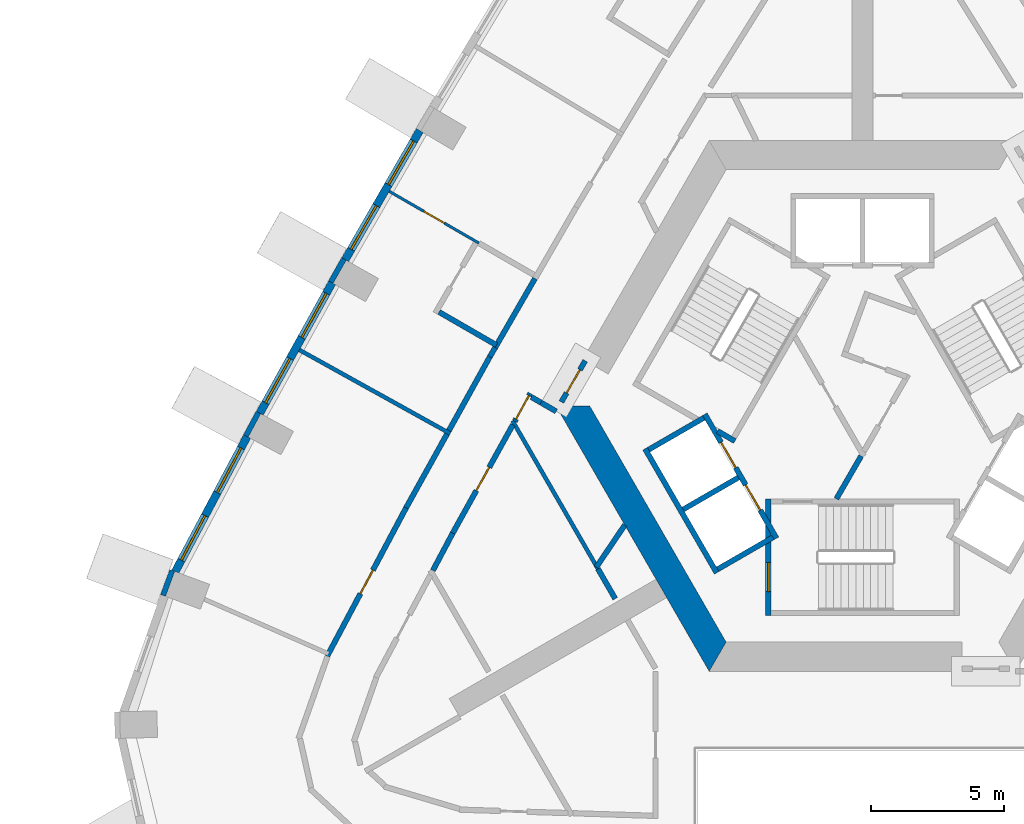
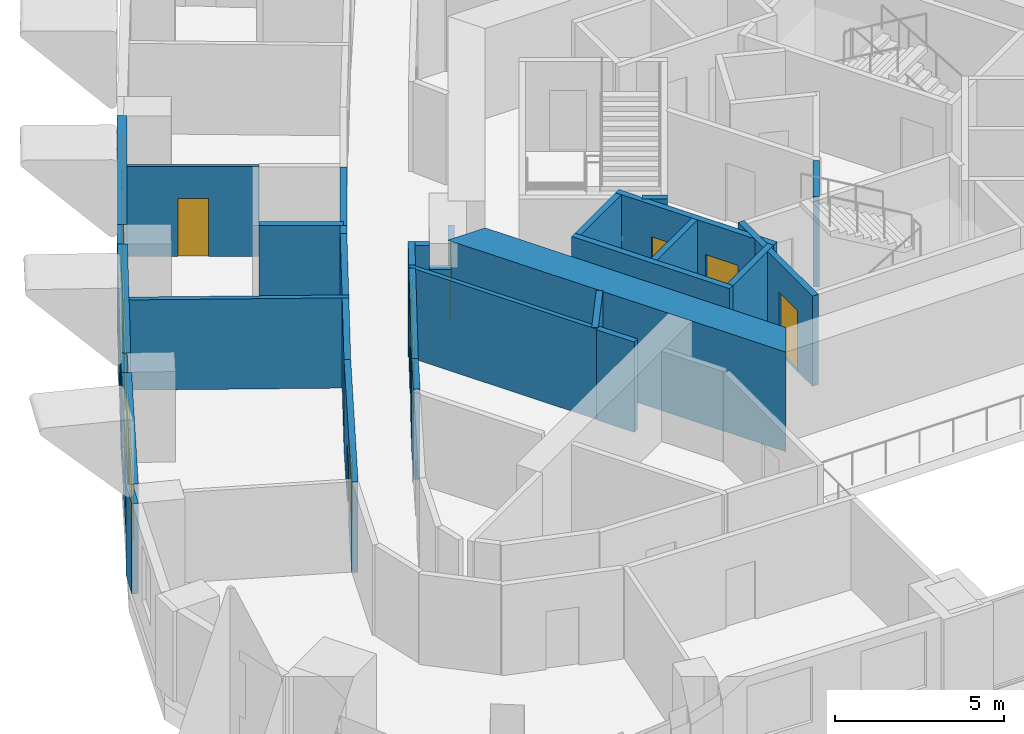
# One storey, part 4 of 12: 32 walls, 8 doors, 6 windows, 14 openings.
"""IFC4 building model written with IfcOpenShell, lengths in metres."""

import ifcopenshell
import ifcopenshell.guid

model = None  # the IFC model being written
_history = None  # IfcOwnerHistory: only IFC2X3 demands one
_inside = {}  # id of a spatial element -> (the spatial element, [elements in it])
_under = {}  # id of a project, library or spatial element -> (it, [spatial elements below it])
_declared = {}  # id of a project -> (the project, [libraries it declares])
_typed = {}  # id of a type object -> (the type object, [elements of that type])
_made_of = {}  # id of a material, layer set ... -> (it, [elements and type objects made of it])


def new_model(schema):
    """Start an empty IFC model of exactly this schema.

    Asked for "IFC4X3", IfcOpenShell would pick the latest addendum, in which some entities
    have other attributes; the version numbers below select the first issue.
    IFC2X3 requires an IfcOwnerHistory on every rooted entity: one is made here for all.
    """
    global model, _history
    if schema == "IFC4X3":
        model = ifcopenshell.file(schema_version=(4, 3, 0, 0))
    else:
        model = ifcopenshell.file(schema=schema)
    _inside.clear()
    _under.clear()
    _declared.clear()
    _typed.clear()
    _made_of.clear()
    _history = None
    if model.schema == "IFC2X3":
        org = make("IfcOrganization", Name="unknown")
        user = make(
            "IfcPersonAndOrganization",
            ThePerson=make("IfcPerson", FamilyName="unknown"),
            TheOrganization=org,
        )
        app = make(
            "IfcApplication",
            ApplicationDeveloper=org,
            Version="unknown",
            ApplicationFullName="unknown",
            ApplicationIdentifier="unknown",
        )
        _history = make(
            "IfcOwnerHistory",
            OwningUser=user,
            OwningApplication=app,
            ChangeAction="ADDED",
            CreationDate=0,
        )
    return model


def make(cls, **values):
    """One entity of the class cls with the attributes given. An attribute that is None is left unset."""
    return model.create_entity(
        cls, **{name: value for name, value in values.items() if value is not None}
    )


def rooted(cls, **values):
    """An entity with a GlobalId (a new one), such as an element, a storey or a relation."""
    return make(cls, GlobalId=ifcopenshell.guid.new(), OwnerHistory=_history, **values)


def si_unit(unit_type, name, prefix=None):
    """IfcSIUnit, for example si_unit("LENGTHUNIT", "METRE", prefix="MILLI")."""
    return make("IfcSIUnit", UnitType=unit_type, Prefix=prefix, Name=name)


def assignment(units):
    """IfcUnitAssignment: the units of a project."""
    return None if units is None else make("IfcUnitAssignment", Units=units)


def point(xyz):
    """IfcCartesianPoint."""
    return None if xyz is None else make("IfcCartesianPoint", Coordinates=xyz)


def direction(xyz):
    """IfcDirection."""
    return None if xyz is None else make("IfcDirection", DirectionRatios=xyz)


def frame(location, z_axis=None, x_axis=None):
    """IfcAxis2Placement3D, a coordinate frame: its origin and axes. An axis left out is left unset."""
    return make(
        "IfcAxis2Placement3D",
        Location=point(location),
        Axis=direction(z_axis),
        RefDirection=direction(x_axis),
    )


def frame_2d(location, x_axis=None):
    """IfcAxis2Placement2D, a coordinate frame in the plane: its origin and x axis."""
    return make(
        "IfcAxis2Placement2D", Location=point(location), RefDirection=direction(x_axis)
    )


def origin():
    """The frame at (0, 0, 0) with its axes left unset."""
    return frame((0.0, 0.0, 0.0))


def place(relative_to, where):
    """IfcLocalPlacement: puts the frame where relative to a parent placement (None: the world)."""
    return make(
        "IfcLocalPlacement", PlacementRelTo=relative_to, RelativePlacement=where
    )


def context(
    kind, dimensions, precision=None, world=None, true_north=None, identifier=None
):
    """IfcGeometricRepresentationContext, for example the 3D "Model" context."""
    return make(
        "IfcGeometricRepresentationContext",
        ContextIdentifier=identifier,
        ContextType=kind,
        CoordinateSpaceDimension=dimensions,
        Precision=precision,
        WorldCoordinateSystem=world,
        TrueNorth=true_north,
    )


def subcontext(parent, identifier, kind, view, scale=None):
    """IfcGeometricRepresentationSubContext, for example "Body" below "Model"."""
    return make(
        "IfcGeometricRepresentationSubContext",
        ContextIdentifier=identifier,
        ContextType=kind,
        ParentContext=parent,
        TargetScale=scale,
        TargetView=view,
    )


def project(units=None, contexts=None):
    """IfcProject with its units and contexts."""
    return rooted(
        "IfcProject",
        Name="project",
        RepresentationContexts=contexts,
        UnitsInContext=assignment(units),
    )


def spatial(cls, under=None, at=None, **own):
    """A site, building, storey or space (cls), placed at a placement, below another one or the project."""
    s = rooted(cls, ObjectPlacement=at, **own)
    if under is not None:
        _under.setdefault(under.id(), (under, []))[1].append(s)
    return s


def polyline(points):
    """IfcPolyline through the points."""
    return make("IfcPolyline", Points=[point(p) for p in points])


def profile(cls, at=None, kind="AREA", **sizes):
    """A parametric profile (cls). Its sizes go by their IFC names, for example OverallWidth=200.0."""
    return make(cls, ProfileType=kind, Position=at, **sizes)


def rectangle(**sizes):
    """IfcRectangleProfileDef."""
    return profile("IfcRectangleProfileDef", **sizes)


def outline(outer, holes=None, kind="AREA"):
    """IfcArbitraryClosedProfileDef: a profile drawn as a closed curve; with holes, ...WithVoids."""
    if holes is None:
        return make("IfcArbitraryClosedProfileDef", ProfileType=kind, OuterCurve=outer)
    return make(
        "IfcArbitraryProfileDefWithVoids",
        ProfileType=kind,
        OuterCurve=outer,
        InnerCurves=holes,
    )


def extrude(swept, where, along, depth):
    """IfcExtrudedAreaSolid: the profile swept, set in the frame where, extruded along a direction by depth."""
    return make(
        "IfcExtrudedAreaSolid",
        SweptArea=swept,
        Position=where,
        ExtrudedDirection=direction(along),
        Depth=depth,
    )


def shape(context_of_items, identifier, shape_type, items):
    """IfcShapeRepresentation: the items that make up one representation, for example the "Body"."""
    return make(
        "IfcShapeRepresentation",
        ContextOfItems=context_of_items,
        RepresentationIdentifier=identifier,
        RepresentationType=shape_type,
        Items=items,
    )


def material(Name=None, Category=None):
    """IfcMaterial."""
    return make("IfcMaterial", Name=Name, Category=Category)


def layer(
    of_material, thickness, ventilated=None, Name=None, Category=None, Priority=None
):
    """IfcMaterialLayer: one layer of a wall or slab, of a material (None: an air gap)."""
    return make(
        "IfcMaterialLayer",
        Material=of_material,
        LayerThickness=thickness,
        IsVentilated=ventilated,
        Name=Name,
        Category=Category,
        Priority=Priority,
    )


def layer_set(layers, Name=None):
    """IfcMaterialLayerSet."""
    return make("IfcMaterialLayerSet", MaterialLayers=layers, LayerSetName=Name)


def made_of(thing, what):
    """Note that an element or type object is made of a material, layer set ...; save() writes the relation."""
    if what is not None:
        _made_of.setdefault(what.id(), (what, []))[1].append(thing)
    return thing


def type_object(cls, material=None, **own):
    """A type object (cls), such as IfcWallType, which elements share."""
    return made_of(rooted(cls, **own), material)


def element(
    cls,
    number,
    at=None,
    inside=None,
    cuts=None,
    type_object=None,
    material=None,
    context=None,
    identifier="Body",
    shape_type=None,
    held_by="IfcProductDefinitionShape",
    body=None,
    shapes=None,
    **own,
):
    """One element of the class cls, such as IfcWall. Its Tag is "e" and its number.

    at: its placement. inside: the storey or other place that contains it. cuts: it is an
    opening in that element (IfcRelVoidsElement). A single representation is given by context,
    identifier, shape_type and body (its items); several are given by shapes. held_by: the class
    of the entity that holds the representations. save() writes the other relations.
    """
    e = rooted(cls, Tag="e%d" % number, ObjectPlacement=at, **own)
    if body is not None:
        shapes = [shape(context, identifier, shape_type, body)]
    if shapes is not None:
        e.Representation = make(held_by, Representations=shapes)
    if inside is not None:
        _inside.setdefault(inside.id(), (inside, []))[1].append(e)
    if cuts is not None:
        rooted(
            "IfcRelVoidsElement", RelatingBuildingElement=cuts, RelatedOpeningElement=e
        )
    if type_object is not None:
        _typed.setdefault(type_object.id(), (type_object, []))[1].append(e)
    return made_of(e, material)


def fill(opening, filler):
    """IfcRelFillsElement: the door or window that sits in an opening."""
    return rooted(
        "IfcRelFillsElement",
        RelatingOpeningElement=opening,
        RelatedBuildingElement=filler,
    )


def aggregate(whole, parts):
    """IfcRelAggregates: a whole, such as a stair, and the parts it consists of."""
    return rooted("IfcRelAggregates", RelatingObject=whole, RelatedObjects=parts)


def save(model, path):
    """Write the relations noted so far, then the file.

    IfcRelAggregates (storeys below a building ...), IfcRelContainedInSpatialStructure (elements
    in a storey), IfcRelDefinesByType, IfcRelAssociatesMaterial and IfcRelDeclares: one each for
    every whole, place, type object, material and project.
    """
    for whole, parts in _under.values():
        aggregate(whole, parts)
    for where, things in _inside.values():
        rooted(
            "IfcRelContainedInSpatialStructure",
            RelatedElements=things,
            RelatingStructure=where,
        )
    for kind, things in _typed.values():
        rooted("IfcRelDefinesByType", RelatedObjects=things, RelatingType=kind)
    for what, things in _made_of.values():
        rooted("IfcRelAssociatesMaterial", RelatedObjects=things, RelatingMaterial=what)
    for by, libraries in _declared.values():
        rooted("IfcRelDeclares", RelatingContext=by, RelatedDefinitions=libraries)
    model.write(path)


model = new_model("IFC4")

# Units and contexts
model_context = context("Model", 3, precision=1e-05, world=origin(), true_north=direction((0.0, 1.0)))
body_context = subcontext(model_context, "Body", "Model", "MODEL_VIEW")
ifc_project = project(units=[si_unit("LENGTHUNIT", "METRE"), si_unit("AREAUNIT", "SQUARE_METRE"), si_unit("VOLUMEUNIT", "CUBIC_METRE"), si_unit("PLANEANGLEUNIT", "RADIAN"), si_unit("MASSUNIT", "GRAM", prefix="KILO")], contexts=[model_context])

# Site, building, storey
site_placement = place(None, origin())
site = spatial("IfcSite", under=ifc_project, at=site_placement, CompositionType="ELEMENT")
building_placement = place(site_placement, origin())
building = spatial("IfcBuilding", under=site, at=building_placement, Name="Entoto Arch Interchange Tower", CompositionType="ELEMENT")
storey_placement = place(building_placement, frame((0.0, 0.0, 273.800048828125)))
storey = spatial("IfcBuildingStorey", under=building, at=storey_placement, Name="L63", CompositionType="ELEMENT", Elevation=273.800048828125)

# Wall, opening, door
ifc_material_1 = material(Name="Reinforced concrete C40/50", Category="concrete")
ifc_layer_1 = layer(ifc_material_1, 0.199951171875)
ifc_layer_set_1 = layer_set([ifc_layer_1], Name="Reinforced concrete C40/50")
wall_type_1 = type_object("IfcWallType", Name="CORE GAP INFILL WALL", PredefinedType="PARTITIONING", material=ifc_layer_set_1)
wall_1_placement = place(storey_placement, frame((-10.448974609375, 4.202880859375, 0.0), z_axis=(0.0, 0.0, 1.0), x_axis=(-0.499914839587, -0.866074565589, 0.0)))
wall_1 = element("IfcWall", 1, at=wall_1_placement, inside=storey, type_object=wall_type_1, Name="wall:L63:gap3", PredefinedType="PARTITIONING", context=body_context, shape_type="SweptSolid", body=[
    extrude(rectangle(XDim=1.794189453125, YDim=0.199951171875, at=frame_2d((0.89697265625, 0.0))), origin(), (0.0, 0.0, 1.0), 2.39990234375),
])
opening_1_placement = place(wall_1_placement, frame((0.39697265625, 0.0, 0.0)))
opening_1 = element("IfcOpeningElement", 2, at=opening_1_placement, cuts=wall_1, Name="Opening L63-D93", PredefinedType="OPENING", context=body_context, shape_type="SweptSolid", body=[
    extrude(rectangle(XDim=1.0, YDim=2.10009765625, at=frame_2d((0.5, 1.050048828125))), frame((0.0, 0.10986328125, 0.0), z_axis=(0.0, -1.0, 0.0), x_axis=(1.0, 0.0, 0.0)), (0.0, 0.0, 1.0), 0.219970703125),
])
ifc_material_2 = material(Name="Fire-rated Steel S235 door and frame", Category="steel")
door_type_1 = type_object("IfcDoorType", Name="DOOR FD-10 1000x2100", OperationType="SINGLE_SWING_LEFT", PredefinedType="DOOR", material=ifc_material_2)
door_1_placement = place(opening_1_placement, origin())
door_1 = element("IfcDoor", 3, at=door_1_placement, inside=storey, type_object=door_type_1, Name="door:L63:gap3", OperationType="SINGLE_SWING_LEFT", OverallHeight=2.10009765625, OverallWidth=1.0, PredefinedType="DOOR", context=body_context, shape_type="SweptSolid", body=[
    extrude(rectangle(XDim=1.0, YDim=2.10009765625, at=frame_2d((0.5, 1.050048828125))), frame((0.0, 0.02490234375, 0.0), z_axis=(0.0, -1.0, 0.0), x_axis=(1.0, 0.0, 0.0)), (0.0, 0.0, 1.0), 0.050048828125),
])
fill(opening_1, door_1)

# Wall
ifc_material_3 = material(Name="Concrete C40/50", Category="concrete")
ifc_layer_2 = layer(ifc_material_3, 1.10009765625)
ifc_layer_set_2 = layer_set([ifc_layer_2], Name="Concrete C40/50")
wall_type_2 = type_object("IfcWallType", Name="Core wall 1100 C40/50", PredefinedType="SHEAR", material=ifc_layer_set_2)
wall_2_placement = place(storey_placement, frame((0.0, 0.0, -0.340087890625)))
element("IfcWall", 4, at=wall_2_placement, inside=storey, type_object=wall_type_2, Name="Core wall SW L63", PredefinedType="SHEAR", context=body_context, shape_type="SweptSolid", body=[
    extrude(outline(polyline([(-11.547119140625, 2.5), (-5.77392578125, -7.5), (-5.137939453125, -6.39990234375), (-10.277099609375, 2.5), (-11.547119140625, 2.5)])), origin(), (0.0, 0.0, 1.0), 3.60009765625),
])

# Wall, openings, doors
ifc_layer_3 = layer(ifc_material_3, 0.199951171875)
ifc_layer_set_3 = layer_set([ifc_layer_3], Name="Concrete C40/50")
wall_type_3 = type_object("IfcWallType", Name="LIFT SHAFT WALL 200", PredefinedType="STANDARD", material=ifc_layer_set_3)
wall_3_placement = place(storey_placement, frame((-5.93994140625, 2.18798828125, 0.0), z_axis=(0.0, 0.0, 1.0), x_axis=(0.500034260056, -0.866005622828, 0.0)))
wall_3 = element("IfcWall", 5, at=wall_3_placement, inside=storey, type_object=wall_type_3, Name="Shaft wall SW1 front", PredefinedType="STANDARD", context=body_context, shape_type="SweptSolid", body=[
    extrude(rectangle(XDim=5.3994140625, YDim=0.199951171875, at=frame_2d((2.69970703125, 0.0))), origin(), (0.0, 0.0, 1.0), 3.260009765625),
])
opening_2_placement = place(wall_3_placement, frame((3.074951171875, 0.0, 0.0)))
opening_2 = element("IfcOpeningElement", 6, at=opening_2_placement, cuts=wall_3, Name="Opening LD-HR4-L63", PredefinedType="OPENING", context=body_context, shape_type="SweptSolid", body=[
    extrude(rectangle(XDim=1.10009765625, YDim=2.10009765625, at=frame_2d((0.550048828125, 1.050048828125))), frame((0.0, 0.10986328125, 0.0), z_axis=(0.0, -1.0, 0.0), x_axis=(1.0, 0.0, 0.0)), (0.0, 0.0, 1.0), 0.219970703125),
])
opening_3_placement = place(wall_3_placement, frame((1.22509765625, 0.0, 0.0)))
opening_3 = element("IfcOpeningElement", 7, at=opening_3_placement, cuts=wall_3, Name="Opening LD-FF2-L63", PredefinedType="OPENING", context=body_context, shape_type="SweptSolid", body=[
    extrude(rectangle(XDim=1.10009765625, YDim=2.10009765625, at=frame_2d((0.550048828125, 1.050048828125))), frame((0.0, 0.10986328125, 0.0), z_axis=(0.0, -1.0, 0.0), x_axis=(1.0, 0.0, 0.0)), (0.0, 0.0, 1.0), 0.219970703125),
])
ifc_material_4 = material(Name="Stainless steel 1.4301 panels", Category="steel")
door_type_2 = type_object("IfcDoorType", Name="LIFT LANDING DOOR LD1 1100x2100", OperationType="SLIDING_TO_LEFT", PredefinedType="DOOR", material=ifc_material_4)
door_2_placement = place(opening_2_placement, origin())
door_2 = element("IfcDoor", 8, at=door_2_placement, inside=storey, type_object=door_type_2, Name="Lift landing door HR4 L63", OperationType="SLIDING_TO_LEFT", OverallHeight=2.10009765625, OverallWidth=1.10009765625, PredefinedType="DOOR", context=body_context, shape_type="SweptSolid", body=[
    extrude(rectangle(XDim=1.10009765625, YDim=2.10009765625, at=frame_2d((0.550048828125, 1.050048828125))), frame((0.0, 0.02490234375, 0.0), z_axis=(0.0, -1.0, 0.0), x_axis=(1.0, 0.0, 0.0)), (0.0, 0.0, 1.0), 0.050048828125),
])
fill(opening_2, door_2)
door_3_placement = place(opening_3_placement, origin())
door_3 = element("IfcDoor", 9, at=door_3_placement, inside=storey, type_object=door_type_2, Name="Lift landing door FF2 L63", OperationType="SLIDING_TO_LEFT", OverallHeight=2.10009765625, OverallWidth=1.10009765625, PredefinedType="DOOR", context=body_context, shape_type="SweptSolid", body=[
    extrude(rectangle(XDim=1.10009765625, YDim=2.10009765625, at=frame_2d((0.550048828125, 1.050048828125))), frame((0.0, 0.02490234375, 0.0), z_axis=(0.0, -1.0, 0.0), x_axis=(1.0, 0.0, 0.0)), (0.0, 0.0, 1.0), 0.050048828125),
])
fill(opening_3, door_3)

# Walls
wall_4_placement = place(storey_placement, frame((-8.19189453125, 0.887939453125, 0.0), z_axis=(0.0, 0.0, 1.0), x_axis=(0.500034260056, -0.866005622828, 0.0)))
element("IfcWall", 10, at=wall_4_placement, inside=storey, type_object=wall_type_3, Name="Shaft wall SW1 back", PredefinedType="STANDARD", context=body_context, shape_type="SweptSolid", body=[
    extrude(rectangle(XDim=5.3994140625, YDim=0.199951171875, at=frame_2d((2.69970703125, 0.0))), origin(), (0.0, 0.0, 1.0), 3.260009765625),
])
for number, where, z_axis, x_axis, name in (
    (11, (-5.97705078125, 2.052001953125, 0.0), (0.0, 0.0, 1.0), (-0.865973769406, -0.500089422704, 0.0), "Shaft wall SW1 cross 1"),
    (12, (-4.677001953125, -0.199951171875, 0.0), (0.0, 0.0, 1.0), (-0.865973769406, -0.500089422704, 0.0), "Shaft wall SW1 cross 2"),
):
    element("IfcWall", number, at=place(storey_placement, frame(where, z_axis=z_axis, x_axis=x_axis)), inside=storey, type_object=wall_type_3, Name=name, PredefinedType="STANDARD", context=body_context, shape_type="SweptSolid", body=[
        extrude(rectangle(XDim=2.3994140625, YDim=0.199951171875, at=frame_2d((1.19970703125, 0.0))), origin(), (0.0, 0.0, 1.0), 3.260009765625),
    ])
wall_5_placement = place(storey_placement, frame((-3.376953125, -2.451904296875, 0.0), z_axis=(0.0, 0.0, 1.0), x_axis=(-0.865955154139, -0.50012165622, 0.0)))
element("IfcWall", 13, at=wall_5_placement, inside=storey, type_object=wall_type_3, Name="Shaft wall SW1 cross 3", PredefinedType="STANDARD", context=body_context, shape_type="SweptSolid", body=[
    extrude(rectangle(XDim=2.39990234375, YDim=0.199951171875, at=frame_2d((1.199951171875, 0.0))), origin(), (0.0, 0.0, 1.0), 3.260009765625),
])

# Wall, opening, door
ifc_material_5 = material(Name="Gypsum board partition on steel studs", Category="steel")
ifc_layer_4 = layer(ifc_material_5, 0.10009765625)
ifc_layer_set_4 = layer_set([ifc_layer_4], Name="Gypsum board partition on steel studs")
wall_type_4 = type_object("IfcWallType", Name="PARTITION 100", PredefinedType="PARTITIONING", material=ifc_layer_set_4)
wall_6_placement = place(storey_placement, frame((-14.4541015625, 8.636962890625, 0.0), z_axis=(0.0, 0.0, 1.0), x_axis=(-0.865995823051, 0.500051231833, 0.0)))
wall_6 = element("IfcWall", 14, at=wall_6_placement, inside=storey, type_object=wall_type_4, Name="wall:L63:p117", PredefinedType="PARTITIONING", context=body_context, shape_type="SweptSolid", body=[
    extrude(rectangle(XDim=3.8994140625, YDim=0.10009765625, at=frame_2d((1.94970703125, 0.0))), origin(), (0.0, 0.0, 1.0), 3.260009765625),
])
opening_4_placement = place(wall_6_placement, frame((1.5, 0.0, 0.0)))
opening_4 = element("IfcOpeningElement", 15, at=opening_4_placement, cuts=wall_6, Name="Opening L63-D14", PredefinedType="OPENING", context=body_context, shape_type="SweptSolid", body=[
    extrude(rectangle(XDim=0.89990234375, YDim=2.10009765625, at=frame_2d((0.449951171875, 1.050048828125))), frame((0.0, 0.06005859375, 0.0), z_axis=(0.0, -1.0, 0.0), x_axis=(1.0, 0.0, 0.0)), (0.0, 0.0, 1.0), 0.1201171875),
])
ifc_material_6 = material(Name="Timber door leaf in Steel S235 frame", Category="steel")
door_type_3 = type_object("IfcDoorType", Name="DOOR DS-09 900x2100", OperationType="SINGLE_SWING_LEFT", PredefinedType="DOOR", material=ifc_material_6)
door_4_placement = place(opening_4_placement, origin())
door_4 = element("IfcDoor", 16, at=door_4_placement, inside=storey, type_object=door_type_3, Name="door:L63:14", OperationType="SINGLE_SWING_LEFT", OverallHeight=2.10009765625, OverallWidth=0.89990234375, PredefinedType="DOOR", context=body_context, shape_type="SweptSolid", body=[
    extrude(rectangle(XDim=0.89990234375, YDim=2.10009765625, at=frame_2d((0.449951171875, 1.050048828125))), frame((0.0, 0.02490234375, 0.0), z_axis=(0.0, -1.0, 0.0), x_axis=(1.0, 0.0, 0.0)), (0.0, 0.0, 1.0), 0.050048828125),
])
fill(opening_4, door_4)

# Walls
ifc_layer_5 = layer(ifc_material_5, 0.14990234375)
ifc_layer_set_5 = layer_set([ifc_layer_5], Name="Gypsum board partition on steel studs")
wall_type_5 = type_object("IfcWallType", Name="PARTITION 150", PredefinedType="PARTITIONING", material=ifc_layer_set_5)
wall_7_placement = place(storey_placement, frame((-13.18798828125, 1.94189453125, 0.0), z_axis=(0.0, 0.0, 1.0), x_axis=(0.500061177503, -0.865990080056, 0.0)))
element("IfcWall", 17, at=wall_7_placement, inside=storey, type_object=wall_type_5, Name="wall:L63:p073", PredefinedType="PARTITIONING", context=body_context, shape_type="SweptSolid", body=[
    extrude(rectangle(XDim=6.447021484375, YDim=0.14990234375, at=frame_2d((3.2236328125, 0.0))), origin(), (0.0, 0.0, 1.0), 3.260009765625),
])
wall_8_placement = place(storey_placement, frame((-15.531982421875, 1.45703125, 0.0), z_axis=(0.0, 0.0, 1.0), x_axis=(-0.874467143452, 0.485084750351, 0.0)))
element("IfcWall", 18, at=wall_8_placement, inside=storey, type_object=wall_type_5, Name="wall:L63:p121", PredefinedType="PARTITIONING", context=body_context, shape_type="SweptSolid", body=[
    extrude(rectangle(XDim=6.5, YDim=0.14990234375, at=frame_2d((3.25, 0.0))), origin(), (0.0, 0.0, 1.0), 3.260009765625),
])
ifc_layer_6 = layer(ifc_material_5, 0.199951171875)
ifc_layer_set_6 = layer_set([ifc_layer_6], Name="Gypsum board partition on steel studs")
wall_type_6 = type_object("IfcWallType", Name="PARTITION 200", PredefinedType="PARTITIONING", material=ifc_layer_set_6)
wall_9_placement = place(storey_placement, frame((-11.5390625, 2.294921875, 0.0), z_axis=(0.0, 0.0, 1.0), x_axis=(-0.86577241902, 0.500437926684, 0.0)))
element("IfcWall", 19, at=wall_9_placement, inside=storey, type_object=wall_type_6, Name="wall:L63:p004", PredefinedType="PARTITIONING", context=body_context, shape_type="SweptSolid", body=[
    extrude(rectangle(XDim=0.65966796875, YDim=0.199951171875, at=frame_2d((0.329833984375, 0.0))), origin(), (0.0, 0.0, 1.0), 2.39990234375),
])

# Wall, opening, door
wall_10_placement = place(storey_placement, frame((-12.51708984375, 2.97509765625, 0.0), z_axis=(0.0, 0.0, 1.0), x_axis=(-0.485195833999, -0.87440551386, 0.0)))
wall_10 = element("IfcWall", 20, at=wall_10_placement, inside=storey, type_object=wall_type_6, Name="wall:L63:p005", PredefinedType="PARTITIONING", context=body_context, shape_type="SweptSolid", body=[
    extrude(rectangle(XDim=1.20556640625, YDim=0.199951171875, at=frame_2d((0.602783203125, 0.0))), origin(), (0.0, 0.0, 1.0), 3.260009765625),
])
opening_5_placement = place(wall_10_placement, frame((0.10302734375, 0.0, 0.0)))
opening_5 = element("IfcOpeningElement", 21, at=opening_5_placement, cuts=wall_10, Name="Opening L63-D30", PredefinedType="OPENING", context=body_context, shape_type="SweptSolid", body=[
    extrude(rectangle(XDim=1.0, YDim=2.10009765625, at=frame_2d((0.5, 1.050048828125))), frame((0.0, 0.10986328125, 0.0), z_axis=(0.0, -1.0, 0.0), x_axis=(1.0, 0.0, 0.0)), (0.0, 0.0, 1.0), 0.219970703125),
])
door_type_4 = type_object("IfcDoorType", Name="DOOR DS-10 1000x2100", OperationType="SINGLE_SWING_LEFT", PredefinedType="DOOR", material=ifc_material_6)
door_5_placement = place(opening_5_placement, origin())
door_5 = element("IfcDoor", 22, at=door_5_placement, inside=storey, type_object=door_type_4, Name="door:L63:30", OperationType="SINGLE_SWING_RIGHT", OverallHeight=2.10009765625, OverallWidth=1.0, PredefinedType="DOOR", context=body_context, shape_type="SweptSolid", body=[
    extrude(rectangle(XDim=1.0, YDim=2.10009765625, at=frame_2d((0.5, 1.050048828125))), frame((0.0, 0.02490234375, 0.0), z_axis=(0.0, -1.0, 0.0), x_axis=(1.0, 0.0, 0.0)), (0.0, 0.0, 1.0), 0.050048828125),
])
fill(opening_5, door_5)

wall_11_placement = place(storey_placement, frame((-13.174072265625, 1.7900390625, 0.0), z_axis=(0.0, 0.0, 1.0), x_axis=(-0.485079003918, -0.874470331091, 0.0)))
wall_11 = element("IfcWall", 23, at=wall_11_placement, inside=storey, type_object=wall_type_6, Name="wall:L63:p028", PredefinedType="PARTITIONING", context=body_context, shape_type="SweptSolid", body=[
    extrude(rectangle(XDim=4.669189453125, YDim=0.199951171875, at=frame_2d((2.33447265625, 0.0))), origin(), (0.0, 0.0, 1.0), 3.260009765625),
])
opening_6_placement = place(wall_11_placement, frame((1.833984375, 0.0, 0.0)))
opening_6 = element("IfcOpeningElement", 24, at=opening_6_placement, cuts=wall_11, Name="Opening L63-D26", PredefinedType="OPENING", context=body_context, shape_type="SweptSolid", body=[
    extrude(rectangle(XDim=1.0, YDim=2.10009765625, at=frame_2d((0.5, 1.050048828125))), frame((0.0, 0.10986328125, 0.0), z_axis=(0.0, -1.0, 0.0), x_axis=(1.0, 0.0, 0.0)), (0.0, 0.0, 1.0), 0.219970703125),
])
door_6_placement = place(opening_6_placement, origin())
door_6 = element("IfcDoor", 25, at=door_6_placement, inside=storey, type_object=door_type_4, Name="door:L63:26", OperationType="SINGLE_SWING_LEFT", OverallHeight=2.10009765625, OverallWidth=1.0, PredefinedType="DOOR", context=body_context, shape_type="SweptSolid", body=[
    extrude(rectangle(XDim=1.0, YDim=2.10009765625, at=frame_2d((0.5, 1.050048828125))), frame((0.0, 0.02490234375, 0.0), z_axis=(0.0, -1.0, 0.0), x_axis=(1.0, 0.0, 0.0)), (0.0, 0.0, 1.0), 0.050048828125),
])
fill(opening_6, door_6)

# Walls
wall_12_placement = place(storey_placement, frame((-15.43896484375, -2.29296875, 0.0), z_axis=(0.0, 0.0, 1.0), x_axis=(-0.469248780065, -0.883066012486, 0.0)))
element("IfcWall", 26, at=wall_12_placement, inside=storey, type_object=wall_type_6, Name="wall:L63:p029", PredefinedType="PARTITIONING", context=body_context, shape_type="SweptSolid", body=[
    extrude(rectangle(XDim=1.590087890625, YDim=0.199951171875, at=frame_2d((0.794921875, 0.0))), origin(), (0.0, 0.0, 1.0), 3.260009765625),
])
wall_13_placement = place(storey_placement, frame((-15.5830078125, 1.571044921875, 0.0), z_axis=(0.0, 0.0, 1.0), x_axis=(0.484944791944, 0.874544766588, 0.0)))
element("IfcWall", 27, at=wall_13_placement, inside=storey, type_object=wall_type_6, Name="wall:L63:p062", PredefinedType="PARTITIONING", context=body_context, shape_type="SweptSolid", body=[
    extrude(rectangle(XDim=3.177734375, YDim=0.199951171875, at=frame_2d((1.5888671875, 0.0))), origin(), (0.0, 0.0, 1.0), 3.260009765625),
])
wall_14_placement = place(storey_placement, frame((-14.0419921875, 4.35009765625, 0.0), z_axis=(0.0, 0.0, 1.0), x_axis=(0.501816902032, 0.864973870608, 0.0)))
element("IfcWall", 28, at=wall_14_placement, inside=storey, type_object=wall_type_6, Name="wall:L63:p063", PredefinedType="PARTITIONING", context=body_context, shape_type="SweptSolid", body=[
    extrude(rectangle(XDim=0.40673828125, YDim=0.199951171875, at=frame_2d((0.203369140625, 0.0))), origin(), (0.0, 0.0, 1.0), 3.260009765625),
])
wall_15_placement = place(storey_placement, frame((-13.837890625, 4.701904296875, 0.0), z_axis=(0.0, 0.0, 1.0), x_axis=(0.499543983968, 0.866288524731, 0.0)))
element("IfcWall", 29, at=wall_15_placement, inside=storey, type_object=wall_type_6, Name="wall:L63:p064", PredefinedType="PARTITIONING", context=body_context, shape_type="SweptSolid", body=[
    extrude(rectangle(XDim=3.000244140625, YDim=0.199951171875, at=frame_2d((1.5, 0.0))), origin(), (0.0, 0.0, 1.0), 3.260009765625),
])

# Wall, opening, door
wall_16_placement = place(storey_placement, frame((-20.16796875, -6.926025390625, 0.0), z_axis=(0.0, 0.0, 1.0), x_axis=(0.469552838911, 0.882904372778, 0.0)))
wall_16 = element("IfcWall", 30, at=wall_16_placement, inside=storey, type_object=wall_type_6, Name="wall:L63:p065", PredefinedType="PARTITIONING", context=body_context, shape_type="SweptSolid", body=[
    extrude(rectangle(XDim=6.329345703125, YDim=0.199951171875, at=frame_2d((3.16455078125, 0.0))), origin(), (0.0, 0.0, 1.0), 3.260009765625),
])
opening_7_placement = place(wall_16_placement, frame((2.6650390625, 0.0, 0.0)))
opening_7 = element("IfcOpeningElement", 31, at=opening_7_placement, cuts=wall_16, Name="Opening L63-D19", PredefinedType="OPENING", context=body_context, shape_type="SweptSolid", body=[
    extrude(rectangle(XDim=1.0, YDim=2.10009765625, at=frame_2d((0.5, 1.050048828125))), frame((0.0, 0.10986328125, 0.0), z_axis=(0.0, -1.0, 0.0), x_axis=(1.0, 0.0, 0.0)), (0.0, 0.0, 1.0), 0.219970703125),
])
door_7_placement = place(opening_7_placement, origin())
door_7 = element("IfcDoor", 32, at=door_7_placement, inside=storey, type_object=door_type_4, Name="door:L63:19", OperationType="SINGLE_SWING_LEFT", OverallHeight=2.10009765625, OverallWidth=1.0, PredefinedType="DOOR", context=body_context, shape_type="SweptSolid", body=[
    extrude(rectangle(XDim=1.0, YDim=2.10009765625, at=frame_2d((0.5, 1.050048828125))), frame((0.0, 0.02490234375, 0.0), z_axis=(0.0, -1.0, 0.0), x_axis=(1.0, 0.0, 0.0)), (0.0, 0.0, 1.0), 0.050048828125),
])
fill(opening_7, door_7)

# Walls
wall_17_placement = place(storey_placement, frame((-17.196044921875, -1.337890625, 0.0), z_axis=(0.0, 0.0, 1.0), x_axis=(0.485107756493, 0.87445438108, 0.0)))
element("IfcWall", 33, at=wall_17_placement, inside=storey, type_object=wall_type_6, Name="wall:L63:p066", PredefinedType="PARTITIONING", context=body_context, shape_type="SweptSolid", body=[
    extrude(rectangle(XDim=3.1767578125, YDim=0.199951171875, at=frame_2d((1.58837890625, 0.0))), origin(), (0.0, 0.0, 1.0), 3.260009765625),
])
wall_18_placement = place(storey_placement, frame((-10.028076171875, -3.574951171875, 0.0), z_axis=(0.0, 0.0, 1.0), x_axis=(0.559779346026, 0.828641710127, 0.0)))
element("IfcWall", 34, at=wall_18_placement, inside=storey, type_object=wall_type_6, Name="wall:L63:p072", PredefinedType="PARTITIONING", context=body_context, shape_type="SweptSolid", body=[
    extrude(rectangle(XDim=1.9150390625, YDim=0.199951171875, at=frame_2d((0.95751953125, 0.0))), origin(), (0.0, 0.0, 1.0), 3.260009765625),
])
wall_19_placement = place(storey_placement, frame((-0.98193359375, -1.0, 0.0), z_axis=(0.0, 0.0, 1.0), x_axis=(0.50024047865, 0.865886518847, 0.0)))
element("IfcWall", 35, at=wall_19_placement, inside=storey, type_object=wall_type_6, Name="wall:L63:p077", PredefinedType="PARTITIONING", context=body_context, shape_type="SweptSolid", body=[
    extrude(rectangle(XDim=1.86279296875, YDim=0.199951171875, at=frame_2d((0.931396484375, 0.0))), origin(), (0.0, 0.0, 1.0), 3.260009765625),
])
wall_20_placement = place(storey_placement, frame((-9.31591796875, -4.763916015625, 0.0), z_axis=(0.0, 0.0, 1.0), x_axis=(-0.49996696679, 0.866044474677, 0.0)))
element("IfcWall", 36, at=wall_20_placement, inside=storey, type_object=wall_type_6, Name="wall:L63:p081", PredefinedType="PARTITIONING", context=body_context, shape_type="SweptSolid", body=[
    extrude(rectangle(XDim=1.29638671875, YDim=0.199951171875, at=frame_2d((0.648193359375, 0.0))), origin(), (0.0, 0.0, 1.0), 3.260009765625),
])
wall_21_placement = place(storey_placement, frame((-15.952880859375, 6.0390625, 0.0), z_axis=(0.0, 0.0, 1.0), x_axis=(0.865998541277, -0.500046524342, 0.0)))
element("IfcWall", 37, at=wall_21_placement, inside=storey, type_object=wall_type_6, Name="wall:L63:p120", PredefinedType="PARTITIONING", context=body_context, shape_type="SweptSolid", body=[
    extrude(rectangle(XDim=2.499755859375, YDim=0.199951171875, at=frame_2d((1.25, 0.0))), origin(), (0.0, 0.0, 1.0), 3.260009765625),
])
wall_22_placement = place(storey_placement, frame((-12.110107421875, 2.625, 0.0), z_axis=(0.0, 0.0, 1.0), x_axis=(-0.86611877815, 0.499838235968, 0.0)))
element("IfcWall", 38, at=wall_22_placement, inside=storey, type_object=wall_type_6, Name="wall:L63:p004", PredefinedType="PARTITIONING", context=body_context, shape_type="SweptSolid", body=[
    extrude(rectangle(XDim=0.426025390625, YDim=0.199951171875, at=frame_2d((0.212890625, 0.0))), origin(), (0.0, 0.0, 1.0), 3.260009765625),
])

# Wall, opening, door
ifc_layer_7 = layer(ifc_material_3, 0.199951171875)
ifc_layer_set_7 = layer_set([ifc_layer_7], Name="Concrete C40/50")
wall_type_7 = type_object("IfcWallType", Name="STAIR ENCLOSURE WALL 200", PredefinedType="STANDARD", material=ifc_layer_set_7)
wall_23_placement = place(storey_placement, frame((-3.550048828125, -1.0, 0.0), z_axis=(0.0, 0.0, 1.0), x_axis=(0.0, -1.0, 0.0)))
wall_23 = element("IfcWall", 39, at=wall_23_placement, inside=storey, type_object=wall_type_7, Name="Stair wall ST-S near", PredefinedType="STANDARD", context=body_context, shape_type="SweptSolid", body=[
    extrude(rectangle(XDim=4.39990234375, YDim=0.199951171875, at=frame_2d((2.199951171875, 0.0))), origin(), (0.0, 0.0, 1.0), 3.260009765625),
])
opening_8_placement = place(wall_23_placement, frame((2.39990234375, 0.0, 0.0)))
opening_8 = element("IfcOpeningElement", 40, at=opening_8_placement, cuts=wall_23, Name="Opening SD-ST-S-L63-E", PredefinedType="OPENING", context=body_context, shape_type="SweptSolid", body=[
    extrude(rectangle(XDim=1.10009765625, YDim=2.199951171875, at=frame_2d((0.550048828125, 1.10009765625))), frame((0.0, 0.10986328125, 0.0), z_axis=(0.0, -1.0, 0.0), x_axis=(1.0, 0.0, 0.0)), (0.0, 0.0, 1.0), 0.219970703125),
])
ifc_material_7 = material(Name="Steel S235", Category="steel")
door_type_5 = type_object("IfcDoorType", Name="STAIR DOOR SD1 1100x2200", OperationType="SINGLE_SWING_LEFT", PredefinedType="DOOR", material=ifc_material_7)
door_8_placement = place(opening_8_placement, origin())
door_8 = element("IfcDoor", 41, at=door_8_placement, inside=storey, type_object=door_type_5, Name="Stair door ST-S L63 end", OperationType="SINGLE_SWING_LEFT", OverallHeight=2.199951171875, OverallWidth=1.10009765625, PredefinedType="DOOR", context=body_context, shape_type="SweptSolid", body=[
    extrude(rectangle(XDim=1.10009765625, YDim=2.199951171875, at=frame_2d((0.550048828125, 1.10009765625))), frame((0.0, 0.02490234375, 0.0), z_axis=(0.0, -1.0, 0.0), x_axis=(1.0, 0.0, 0.0)), (0.0, 0.0, 1.0), 0.050048828125),
])
fill(opening_8, door_8)

# Wall
wall_24_placement = place(storey_placement, frame((-4.805908203125, 1.176025390625, 0.0), z_axis=(0.0, 0.0, 1.0), x_axis=(-0.866558586415, 0.499075361355, 0.0)))
element("IfcWall", 42, at=wall_24_placement, inside=storey, type_object=wall_type_7, Name="Stair wall ST-NW far return", PredefinedType="STANDARD", context=body_context, shape_type="SweptSolid", body=[
    extrude(rectangle(XDim=0.75146484375, YDim=0.199951171875, at=frame_2d((0.375732421875, 0.0))), origin(), (0.0, 0.0, 1.0), 3.260009765625),
])

# Wall, openings, windows
ifc_material_8 = material(Name="Welded tuff (ignimbrite) cladding, warm buff", Category="masonry")
ifc_layer_8 = layer(ifc_material_8, 0.300048828125)
ifc_layer_set_8 = layer_set([ifc_layer_8], Name="Welded tuff (ignimbrite) cladding, warm buff")
wall_type_8 = type_object("IfcWallType", Name="STONE INFILL WALL 300", PredefinedType="STANDARD", material=ifc_layer_set_8)
wall_25_placement = place(storey_placement, frame((-16.681884765625, 12.876953125, 0.0), z_axis=(0.0, 0.0, 1.0), x_axis=(-0.49999685976, -0.866027216796, 0.0)))
wall_25 = element("IfcWall", 43, at=wall_25_placement, inside=storey, type_object=wall_type_8, Name="Facade wall NW-03 L63", PredefinedType="STANDARD", context=body_context, shape_type="SweptSolid", body=[
    extrude(rectangle(XDim=5.6220703125, YDim=0.300048828125, at=frame_2d((2.81103515625, 0.0))), origin(), (0.0, 0.0, 1.0), 3.260009765625),
])
opening_9_placement = place(wall_25_placement, frame((0.4560546875, 0.0, 0.89990234375)))
opening_9 = element("IfcOpeningElement", 44, at=opening_9_placement, cuts=wall_25, Name="Opening WH-C", PredefinedType="OPENING", context=body_context, shape_type="SweptSolid", body=[
    extrude(rectangle(XDim=1.89990234375, YDim=2.0, at=frame_2d((0.949951171875, 1.0))), frame((0.0, 0.16015625, 0.0), z_axis=(0.0, -1.0, 0.0), x_axis=(1.0, 0.0, 0.0)), (0.0, 0.0, 1.0), 0.320068359375),
])
opening_10_placement = place(wall_25_placement, frame((3.26708984375, 0.0, 0.89990234375)))
opening_10 = element("IfcOpeningElement", 45, at=opening_10_placement, cuts=wall_25, Name="Opening WH-C", PredefinedType="OPENING", context=body_context, shape_type="SweptSolid", body=[
    extrude(rectangle(XDim=1.89990234375, YDim=2.0, at=frame_2d((0.949951171875, 1.0))), frame((0.0, 0.16015625, 0.0), z_axis=(0.0, -1.0, 0.0), x_axis=(1.0, 0.0, 0.0)), (0.0, 0.0, 1.0), 0.320068359375),
])
ifc_material_9 = material(Name="Clear glass, low-e double glazed", Category="glass")
window_type = type_object("IfcWindowType", Name="WINDOW WH-C 1900x2000", PartitioningType="DOUBLE_PANEL_VERTICAL", PredefinedType="WINDOW", material=ifc_material_9)
window_1_placement = place(opening_9_placement, origin())
window_1 = element("IfcWindow", 46, at=window_1_placement, inside=storey, type_object=window_type, Name="Window WH-C NW-03 L63", OverallHeight=2.0, OverallWidth=1.89990234375, PartitioningType="SINGLE_PANEL", PredefinedType="WINDOW", context=body_context, shape_type="SweptSolid", body=[
    extrude(rectangle(XDim=1.89990234375, YDim=2.0, at=frame_2d((0.949951171875, 1.0))), frame((0.0, 0.030029296875, 0.0), z_axis=(0.0, -1.0, 0.0), x_axis=(1.0, 0.0, 0.0)), (0.0, 0.0, 1.0), 0.06005859375),
])
fill(opening_9, window_1)
window_2_placement = place(opening_10_placement, origin())
window_2 = element("IfcWindow", 47, at=window_2_placement, inside=storey, type_object=window_type, Name="Window WH-C NW-03 L63", OverallHeight=2.0, OverallWidth=1.89990234375, PartitioningType="SINGLE_PANEL", PredefinedType="WINDOW", context=body_context, shape_type="SweptSolid", body=[
    extrude(rectangle(XDim=1.89990234375, YDim=2.0, at=frame_2d((0.949951171875, 1.0))), frame((0.0, 0.030029296875, 0.0), z_axis=(0.0, -1.0, 0.0), x_axis=(1.0, 0.0, 0.0)), (0.0, 0.0, 1.0), 0.06005859375),
])
fill(opening_10, window_2)

wall_26_placement = place(storey_placement, frame((-19.98388671875, 7.139892578125, 0.0), z_axis=(0.0, 0.0, 1.0), x_axis=(-0.485049005017, -0.874486971162, 0.0)))
wall_26 = element("IfcWall", 48, at=wall_26_placement, inside=storey, type_object=wall_type_8, Name="Facade wall NW-04 L63", PredefinedType="STANDARD", context=body_context, shape_type="SweptSolid", body=[
    extrude(rectangle(XDim=5.6201171875, YDim=0.300048828125, at=frame_2d((2.81005859375, 0.0))), origin(), (0.0, 0.0, 1.0), 3.260009765625),
])
opening_11_placement = place(wall_26_placement, frame((0.455078125, 0.0, 0.89990234375)))
opening_11 = element("IfcOpeningElement", 49, at=opening_11_placement, cuts=wall_26, Name="Opening WH-C", PredefinedType="OPENING", context=body_context, shape_type="SweptSolid", body=[
    extrude(rectangle(XDim=1.89990234375, YDim=2.0, at=frame_2d((0.949951171875, 1.0))), frame((0.0, 0.16015625, 0.0), z_axis=(0.0, -1.0, 0.0), x_axis=(1.0, 0.0, 0.0)), (0.0, 0.0, 1.0), 0.320068359375),
])
opening_12_placement = place(wall_26_placement, frame((3.264892578125, 0.0, 0.89990234375)))
opening_12 = element("IfcOpeningElement", 50, at=opening_12_placement, cuts=wall_26, Name="Opening WH-C", PredefinedType="OPENING", context=body_context, shape_type="SweptSolid", body=[
    extrude(rectangle(XDim=1.89990234375, YDim=2.0, at=frame_2d((0.949951171875, 1.0))), frame((0.0, 0.16015625, 0.0), z_axis=(0.0, -1.0, 0.0), x_axis=(1.0, 0.0, 0.0)), (0.0, 0.0, 1.0), 0.320068359375),
])
window_3_placement = place(opening_11_placement, origin())
window_3 = element("IfcWindow", 51, at=window_3_placement, inside=storey, type_object=window_type, Name="Window WH-C NW-04 L63", OverallHeight=2.0, OverallWidth=1.89990234375, PartitioningType="SINGLE_PANEL", PredefinedType="WINDOW", context=body_context, shape_type="SweptSolid", body=[
    extrude(rectangle(XDim=1.89990234375, YDim=2.0, at=frame_2d((0.949951171875, 1.0))), frame((0.0, 0.030029296875, 0.0), z_axis=(0.0, -1.0, 0.0), x_axis=(1.0, 0.0, 0.0)), (0.0, 0.0, 1.0), 0.06005859375),
])
fill(opening_11, window_3)
window_4_placement = place(opening_12_placement, origin())
window_4 = element("IfcWindow", 52, at=window_4_placement, inside=storey, type_object=window_type, Name="Window WH-C NW-04 L63", OverallHeight=2.0, OverallWidth=1.89990234375, PartitioningType="SINGLE_PANEL", PredefinedType="WINDOW", context=body_context, shape_type="SweptSolid", body=[
    extrude(rectangle(XDim=1.89990234375, YDim=2.0, at=frame_2d((0.949951171875, 1.0))), frame((0.0, 0.030029296875, 0.0), z_axis=(0.0, -1.0, 0.0), x_axis=(1.0, 0.0, 0.0)), (0.0, 0.0, 1.0), 0.06005859375),
])
fill(opening_12, window_4)

wall_27_placement = place(storey_placement, frame((-23.18603515625, 1.347900390625, 0.0), z_axis=(0.0, 0.0, 1.0), x_axis=(-0.469691596427, -0.882830563724, 0.0)))
wall_27 = element("IfcWall", 53, at=wall_27_placement, inside=storey, type_object=wall_type_8, Name="Facade wall NW-05 L63", PredefinedType="STANDARD", context=body_context, shape_type="SweptSolid", body=[
    extrude(rectangle(XDim=5.767578125, YDim=0.300048828125, at=frame_2d((2.8837890625, 0.0))), origin(), (0.0, 0.0, 1.0), 3.260009765625),
])
opening_13_placement = place(wall_27_placement, frame((0.491943359375, 0.0, 0.89990234375)))
opening_13 = element("IfcOpeningElement", 54, at=opening_13_placement, cuts=wall_27, Name="Opening WH-C", PredefinedType="OPENING", context=body_context, shape_type="SweptSolid", body=[
    extrude(rectangle(XDim=1.89990234375, YDim=2.0, at=frame_2d((0.949951171875, 1.0))), frame((0.0, 0.16015625, 0.0), z_axis=(0.0, -1.0, 0.0), x_axis=(1.0, 0.0, 0.0)), (0.0, 0.0, 1.0), 0.320068359375),
])
opening_14_placement = place(wall_27_placement, frame((3.3759765625, 0.0, 0.89990234375)))
opening_14 = element("IfcOpeningElement", 55, at=opening_14_placement, cuts=wall_27, Name="Opening WH-C", PredefinedType="OPENING", context=body_context, shape_type="SweptSolid", body=[
    extrude(rectangle(XDim=1.89990234375, YDim=2.0, at=frame_2d((0.949951171875, 1.0))), frame((0.0, 0.16015625, 0.0), z_axis=(0.0, -1.0, 0.0), x_axis=(1.0, 0.0, 0.0)), (0.0, 0.0, 1.0), 0.320068359375),
])
window_5_placement = place(opening_13_placement, origin())
window_5 = element("IfcWindow", 56, at=window_5_placement, inside=storey, type_object=window_type, Name="Window WH-C NW-05 L63", OverallHeight=2.0, OverallWidth=1.89990234375, PartitioningType="SINGLE_PANEL", PredefinedType="WINDOW", context=body_context, shape_type="SweptSolid", body=[
    extrude(rectangle(XDim=1.89990234375, YDim=2.0, at=frame_2d((0.949951171875, 1.0))), frame((0.0, 0.030029296875, 0.0), z_axis=(0.0, -1.0, 0.0), x_axis=(1.0, 0.0, 0.0)), (0.0, 0.0, 1.0), 0.06005859375),
])
fill(opening_13, window_5)
window_6_placement = place(opening_14_placement, origin())
window_6 = element("IfcWindow", 57, at=window_6_placement, inside=storey, type_object=window_type, Name="Window WH-C NW-05 L63", OverallHeight=2.0, OverallWidth=1.89990234375, PartitioningType="SINGLE_PANEL", PredefinedType="WINDOW", context=body_context, shape_type="SweptSolid", body=[
    extrude(rectangle(XDim=1.89990234375, YDim=2.0, at=frame_2d((0.949951171875, 1.0))), frame((0.0, 0.030029296875, 0.0), z_axis=(0.0, -1.0, 0.0), x_axis=(1.0, 0.0, 0.0)), (0.0, 0.0, 1.0), 0.06005859375),
])
fill(opening_14, window_6)

# Walls
ifc_layer_9 = layer(ifc_material_8, 0.199951171875)
ifc_layer_set_9 = layer_set([ifc_layer_9], Name="Welded tuff (ignimbrite) cladding, warm buff")
wall_type_9 = type_object("IfcWallType", Name="STONE PIER CLADDING 200", PredefinedType="STANDARD", material=ifc_layer_set_9)
for number, where, z_axis, x_axis, name in (
    (58, (-19.5400390625, 8.035888671875, 0.0), (0.0, 0.0, 1.0), (-0.491848119507, -0.870681013539, 0.0), "Stone pier NW04 L63"),
    (59, (-22.759033203125, 2.2529296875, 0.0), (0.0, 0.0, 1.0), (-0.473765014438, -0.880651299377, 0.0), "Stone pier NW05 L63"),
):
    element("IfcWall", number, at=place(storey_placement, frame(where, z_axis=z_axis, x_axis=x_axis)), inside=storey, type_object=wall_type_9, Name=name, PredefinedType="STANDARD", context=body_context, shape_type="SweptSolid", body=[
        extrude(rectangle(XDim=1.000244140625, YDim=0.199951171875, at=frame_2d((0.5, 0.0))), origin(), (0.0, 0.0, 1.0), 3.260009765625),
    ])
wall_28_placement = place(storey_placement, frame((-26.006103515625, -3.701904296875, 0.0), z_axis=(0.0, 0.0, 1.0), x_axis=(-0.346892928577, -0.937904737222, 0.0)))
element("IfcWall", 60, at=wall_28_placement, inside=storey, type_object=wall_type_9, Name="Stone pier NW06 L63", PredefinedType="STANDARD", context=body_context, shape_type="SweptSolid", body=[
    extrude(rectangle(XDim=1.0, YDim=0.199951171875, at=frame_2d((0.5, 0.0))), origin(), (0.0, 0.0, 1.0), 3.260009765625),
])

save(model, "model.ifc")
